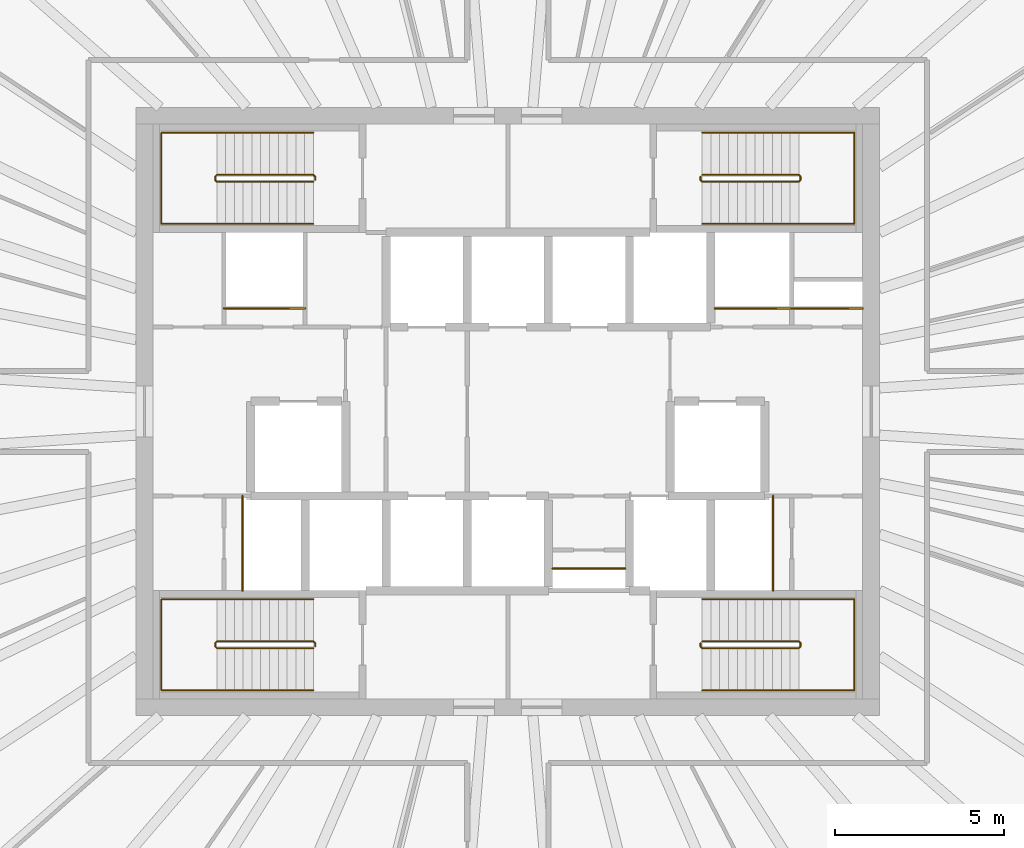
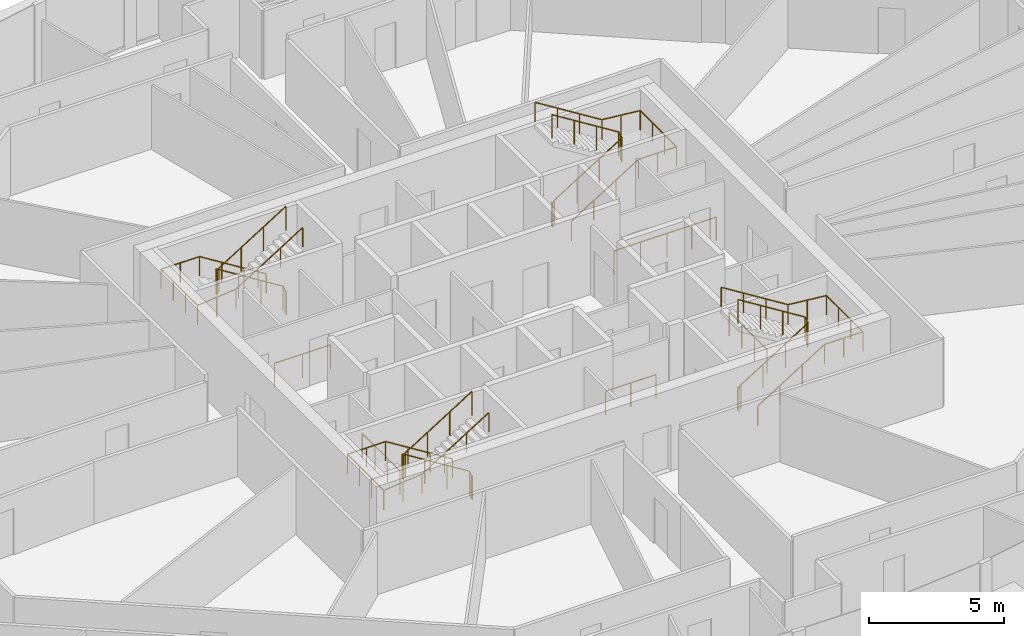
# One storey, part 12 of 12: 14 railings.
"""IFC4 building model written with IfcOpenShell, lengths in metres."""

from ifc_helpers import new_model, si_unit, direction, frame, origin, origin_2d, place, context, subcontext, project, spatial, circle, extrude, source, transform, mapped, material, type_object, element, save


model = new_model("IFC4")

# Units and contexts
model_context = context("Model", 3, precision=1e-05, world=origin(), true_north=direction((0.0, 1.0)))
body_context = subcontext(model_context, "Body", "Model", "MODEL_VIEW")
ifc_project = project(units=[si_unit("LENGTHUNIT", "METRE"), si_unit("AREAUNIT", "SQUARE_METRE"), si_unit("VOLUMEUNIT", "CUBIC_METRE"), si_unit("PLANEANGLEUNIT", "RADIAN"), si_unit("MASSUNIT", "GRAM", prefix="KILO")], contexts=[model_context])

# Site, building, storey
site_placement = place(None, origin())
site = spatial("IfcSite", under=ifc_project, at=site_placement, CompositionType="ELEMENT")
building_placement = place(site_placement, origin())
building = spatial("IfcBuilding", under=site, at=building_placement, Name="Embergate Tower", CompositionType="ELEMENT")
storey_placement = place(building_placement, frame((0.0, 0.0, 250.0)))
storey = spatial("IfcBuildingStorey", under=building, at=storey_placement, Name="L57", CompositionType="ELEMENT", Elevation=250.0)

# Railings
ifc_material_1 = material(Name="Stair guard 1100")
railing_type_1 = type_object("IfcRailingType", Name="Stair guard 1100", PredefinedType="GUARDRAIL", material=ifc_material_1)
shared_shape_1 = source(origin(), body_context, "Body", "SweptSolid", [
    extrude(circle(Radius=0.02392578125, at=origin_2d()), frame((0.0, 0.0, 1.076171875), z_axis=(0.0, 1.0, 0.0), x_axis=(-1.0, 0.0, 0.0)), (0.0, 0.0, 1.0), 0.099853515625),
    extrude(circle(Radius=0.02392578125, at=origin_2d()), frame((0.0, 0.099853515625, 1.076171875), z_axis=(-0.282227285176, 0.282227285176, 0.916894497205), x_axis=(-0.707106781187, -0.707106781187, 0.0)), (0.0, 0.0, 1.0), 0.17724609375),
    extrude(circle(Radius=0.02392578125, at=origin_2d()), frame((-0.050048828125, 0.14990234375, 1.23876953125), z_axis=(-0.848026770018, 0.0, 0.529953391661), x_axis=(0.0, -1.0, 0.0)), (0.0, 0.0, 1.0), 3.37255859375),
    extrude(circle(Radius=0.02392578125, at=origin_2d()), frame((-2.91015625, 0.14990234375, 3.02587890625), z_axis=(-0.705375805398, -0.708833529934, 0.0), x_axis=(0.708833529934, -0.705375805398, 0.0)), (0.0, 0.0, 1.0), 0.070556640625),
    extrude(circle(Radius=0.02392578125, at=origin_2d()), frame((-2.9599609375, 0.099853515625, 3.02587890625), z_axis=(0.0, -1.0, 0.0), x_axis=(1.0, 0.0, 0.0)), (0.0, 0.0, 1.0), 0.099853515625),
    extrude(circle(Radius=0.02392578125, at=origin_2d()), frame((-2.9599609375, 0.0, 3.02587890625), z_axis=(0.280959487676, -0.282336740067, 0.917250092119), x_axis=(0.708833529934, 0.705375805398, 0.0)), (0.0, 0.0, 1.0), 0.17724609375),
    extrude(circle(Radius=0.02392578125, at=origin_2d()), frame((-2.91015625, -0.050048828125, 3.1884765625), z_axis=(0.848026770018, 0.0, 0.529953391661), x_axis=(0.0, 1.0, 0.0)), (0.0, 0.0, 1.0), 3.37255859375),
    extrude(circle(Radius=0.02099609375, at=origin_2d()), origin(), (0.0, 0.0, 1.0), 1.052001953125),
    extrude(circle(Radius=0.02099609375, at=origin_2d()), frame((0.0, 0.099853515625, 0.0)), (0.0, 0.0, 1.0), 1.052001953125),
    extrude(circle(Radius=0.02099609375, at=origin_2d()), frame((-0.050048828125, 0.14990234375, 0.16259765625)), (0.0, 0.0, 1.0), 1.052001953125),
    extrude(circle(Radius=0.02099609375, at=origin_2d()), frame((-1.00341796875, 0.14990234375, 0.75830078125)), (0.0, 0.0, 1.0), 1.052001953125),
    extrude(circle(Radius=0.02099609375, at=origin_2d()), frame((-1.956787109375, 0.14990234375, 1.354248046875)), (0.0, 0.0, 1.0), 1.052001953125),
    extrude(circle(Radius=0.02099609375, at=origin_2d()), frame((-2.91015625, 0.14990234375, 1.949951171875)), (0.0, 0.0, 1.0), 1.052001953125),
    extrude(circle(Radius=0.02099609375, at=origin_2d()), frame((-2.9599609375, 0.099853515625, 1.949951171875)), (0.0, 0.0, 1.0), 1.052001953125),
    extrude(circle(Radius=0.02099609375, at=origin_2d()), frame((-2.9599609375, 0.0, 1.949951171875)), (0.0, 0.0, 1.0), 1.052001953125),
    extrude(circle(Radius=0.02099609375, at=origin_2d()), frame((-2.91015625, -0.050048828125, 2.112548828125)), (0.0, 0.0, 1.0), 1.052001953125),
    extrude(circle(Radius=0.02099609375, at=origin_2d()), frame((-1.956787109375, -0.050048828125, 2.708251953125)), (0.0, 0.0, 1.0), 1.052001953125),
    extrude(circle(Radius=0.02099609375, at=origin_2d()), frame((-1.00341796875, -0.050048828125, 3.30419921875)), (0.0, 0.0, 1.0), 1.052001953125),
    extrude(circle(Radius=0.02099609375, at=origin_2d()), frame((-0.050048828125, -0.050048828125, 3.89990234375)), (0.0, 0.0, 1.0), 1.052001953125),
])
for number, where, name in (
    (1, (-5.699951171875, 6.85009765625, 0.0), "L57 ST1 stair guard 1"),
    (2, (-5.699951171875, -6.949951171875, 0.0), "L57 ST3 stair guard 1"),
):
    element("IfcRailing", number, at=place(storey_placement, frame(where)), inside=storey, type_object=railing_type_1, Name=name, PredefinedType="GUARDRAIL", context=body_context, shape_type="MappedRepresentation", body=[
        mapped(shared_shape_1, transform((0.0, 0.0, 0.0))),
    ])
ifc_material_2 = material(Name="Stair handrail 900")
railing_type_2 = type_object("IfcRailingType", Name="Stair handrail 900", PredefinedType="HANDRAIL", material=ifc_material_2)
shared_shape_2 = source(origin(), body_context, "Body", "SweptSolid", [
    extrude(circle(Radius=0.02392578125, at=origin_2d()), frame((0.0, 0.0, 0.8759765625), z_axis=(-0.848026770018, 0.0, 0.529953391661), x_axis=(0.0, -1.0, 0.0)), (0.0, 0.0, 1.0), 3.37255859375),
    extrude(circle(Radius=0.02392578125, at=origin_2d()), frame((-2.860107421875, 0.0, 2.6630859375), z_axis=(-1.0, 0.0, 0.0), x_axis=(0.0, -1.0, 0.0)), (0.0, 0.0, 1.0), 1.639892578125),
    extrude(circle(Radius=0.02392578125, at=origin_2d()), frame((-4.5, 0.0, 2.6630859375), z_axis=(0.0, -1.0, 0.0), x_axis=(1.0, 0.0, 0.0)), (0.0, 0.0, 1.0), 2.699951171875),
    extrude(circle(Radius=0.02392578125, at=origin_2d()), frame((-4.5, -2.699951171875, 2.6630859375), z_axis=(0.995120448088, 0.0, 0.098667592441), x_axis=(0.0, 1.0, 0.0)), (0.0, 0.0, 1.0), 1.64794921875),
    extrude(circle(Radius=0.02392578125, at=origin_2d()), frame((-2.860107421875, -2.699951171875, 2.82568359375), z_axis=(0.848026770018, 0.0, 0.529953391661), x_axis=(0.0, 1.0, 0.0)), (0.0, 0.0, 1.0), 3.37255859375),
    extrude(circle(Radius=0.02099609375, at=origin_2d()), origin(), (0.0, 0.0, 1.0), 0.851806640625),
    extrude(circle(Radius=0.02099609375, at=origin_2d()), frame((-0.953369140625, 0.0, 0.595703125)), (0.0, 0.0, 1.0), 0.851806640625),
    extrude(circle(Radius=0.02099609375, at=origin_2d()), frame((-1.90673828125, 0.0, 1.191650390625)), (0.0, 0.0, 1.0), 0.851806640625),
    extrude(circle(Radius=0.02099609375, at=origin_2d()), frame((-2.860107421875, 0.0, 1.787353515625)), (0.0, 0.0, 1.0), 0.851806640625),
    extrude(circle(Radius=0.02099609375, at=origin_2d()), frame((-3.68017578125, 0.0, 1.787353515625)), (0.0, 0.0, 1.0), 0.851806640625),
    extrude(circle(Radius=0.02099609375, at=origin_2d()), frame((-4.5, 0.0, 1.787353515625)), (0.0, 0.0, 1.0), 0.851806640625),
    extrude(circle(Radius=0.02099609375, at=origin_2d()), frame((-4.5, -0.89990234375, 1.787353515625)), (0.0, 0.0, 1.0), 0.851806640625),
    extrude(circle(Radius=0.02099609375, at=origin_2d()), frame((-4.5, -1.800048828125, 1.787353515625)), (0.0, 0.0, 1.0), 0.851806640625),
    extrude(circle(Radius=0.02099609375, at=origin_2d()), frame((-4.5, -2.699951171875, 1.787353515625)), (0.0, 0.0, 1.0), 0.851806640625),
    extrude(circle(Radius=0.02099609375, at=origin_2d()), frame((-3.68017578125, -2.699951171875, 1.86865234375)), (0.0, 0.0, 1.0), 0.851806640625),
    extrude(circle(Radius=0.02099609375, at=origin_2d()), frame((-2.860107421875, -2.699951171875, 1.949951171875)), (0.0, 0.0, 1.0), 0.851806640625),
    extrude(circle(Radius=0.02099609375, at=origin_2d()), frame((-1.90673828125, -2.699951171875, 2.545654296875)), (0.0, 0.0, 1.0), 0.851806640625),
    extrude(circle(Radius=0.02099609375, at=origin_2d()), frame((-0.953369140625, -2.699951171875, 3.1416015625)), (0.0, 0.0, 1.0), 0.851806640625),
    extrude(circle(Radius=0.02099609375, at=origin_2d()), frame((0.0, -2.699951171875, 3.7373046875)), (0.0, 0.0, 1.0), 0.851806640625),
])
for number, where, name in (
    (3, (-5.75, 8.25, 0.16259765625), "L57 ST1 stair handrail 1"),
    (4, (-5.75, -5.550048828125, 0.16259765625), "L57 ST3 stair handrail 1"),
):
    element("IfcRailing", number, at=place(storey_placement, frame(where)), inside=storey, type_object=railing_type_2, Name=name, PredefinedType="HANDRAIL", context=body_context, shape_type="MappedRepresentation", body=[
        mapped(shared_shape_2, transform((0.0, 0.0, 0.0))),
    ])
shared_shape_3 = source(origin(), body_context, "Body", "SweptSolid", [
    extrude(circle(Radius=0.02392578125, at=origin_2d()), frame((0.0, 0.0, 1.076171875), z_axis=(0.0, -1.0, 0.0), x_axis=(1.0, 0.0, 0.0)), (0.0, 0.0, 1.0), 0.099853515625),
    extrude(circle(Radius=0.02392578125, at=origin_2d()), frame((0.0, -0.099853515625, 1.076171875), z_axis=(0.282227285176, -0.282227285176, 0.916894497205), x_axis=(0.707106781187, 0.707106781187, 0.0)), (0.0, 0.0, 1.0), 0.17724609375),
    extrude(circle(Radius=0.02392578125, at=origin_2d()), frame((0.050048828125, -0.14990234375, 1.23876953125), z_axis=(0.848026770018, 0.0, 0.529953391661), x_axis=(0.0, 1.0, 0.0)), (0.0, 0.0, 1.0), 3.37255859375),
    extrude(circle(Radius=0.02392578125, at=origin_2d()), frame((2.91015625, -0.14990234375, 3.02587890625), z_axis=(0.705375805398, 0.708833529934, 0.0), x_axis=(-0.708833529934, 0.705375805398, 0.0)), (0.0, 0.0, 1.0), 0.070556640625),
    extrude(circle(Radius=0.02392578125, at=origin_2d()), frame((2.9599609375, -0.099853515625, 3.02587890625), z_axis=(0.0, 1.0, 0.0), x_axis=(-1.0, 0.0, 0.0)), (0.0, 0.0, 1.0), 0.099853515625),
    extrude(circle(Radius=0.02392578125, at=origin_2d()), frame((2.9599609375, 0.0, 3.02587890625), z_axis=(-0.280959487676, 0.282336740067, 0.917250092119), x_axis=(-0.708833529934, -0.705375805398, 0.0)), (0.0, 0.0, 1.0), 0.17724609375),
    extrude(circle(Radius=0.02392578125, at=origin_2d()), frame((2.91015625, 0.050048828125, 3.1884765625), z_axis=(-0.848026770018, 0.0, 0.529953391661), x_axis=(0.0, -1.0, 0.0)), (0.0, 0.0, 1.0), 3.37255859375),
    extrude(circle(Radius=0.02099609375, at=origin_2d()), origin(), (0.0, 0.0, 1.0), 1.052001953125),
    extrude(circle(Radius=0.02099609375, at=origin_2d()), frame((0.0, -0.099853515625, 0.0)), (0.0, 0.0, 1.0), 1.052001953125),
    extrude(circle(Radius=0.02099609375, at=origin_2d()), frame((0.050048828125, -0.14990234375, 0.16259765625)), (0.0, 0.0, 1.0), 1.052001953125),
    extrude(circle(Radius=0.02099609375, at=origin_2d()), frame((1.00341796875, -0.14990234375, 0.75830078125)), (0.0, 0.0, 1.0), 1.052001953125),
    extrude(circle(Radius=0.02099609375, at=origin_2d()), frame((1.956787109375, -0.14990234375, 1.354248046875)), (0.0, 0.0, 1.0), 1.052001953125),
    extrude(circle(Radius=0.02099609375, at=origin_2d()), frame((2.91015625, -0.14990234375, 1.949951171875)), (0.0, 0.0, 1.0), 1.052001953125),
    extrude(circle(Radius=0.02099609375, at=origin_2d()), frame((2.9599609375, -0.099853515625, 1.949951171875)), (0.0, 0.0, 1.0), 1.052001953125),
    extrude(circle(Radius=0.02099609375, at=origin_2d()), frame((2.9599609375, 0.0, 1.949951171875)), (0.0, 0.0, 1.0), 1.052001953125),
    extrude(circle(Radius=0.02099609375, at=origin_2d()), frame((2.91015625, 0.050048828125, 2.112548828125)), (0.0, 0.0, 1.0), 1.052001953125),
    extrude(circle(Radius=0.02099609375, at=origin_2d()), frame((1.956787109375, 0.050048828125, 2.708251953125)), (0.0, 0.0, 1.0), 1.052001953125),
    extrude(circle(Radius=0.02099609375, at=origin_2d()), frame((1.00341796875, 0.050048828125, 3.30419921875)), (0.0, 0.0, 1.0), 1.052001953125),
    extrude(circle(Radius=0.02099609375, at=origin_2d()), frame((0.050048828125, 0.050048828125, 3.89990234375)), (0.0, 0.0, 1.0), 1.052001953125),
])
for number, where, name in (
    (5, (5.699951171875, 6.949951171875, 0.0), "L57 ST2 stair guard 1"),
    (6, (5.699951171875, -6.85009765625, 0.0), "L57 ST4 stair guard 1"),
):
    element("IfcRailing", number, at=place(storey_placement, frame(where)), inside=storey, type_object=railing_type_1, Name=name, PredefinedType="GUARDRAIL", context=body_context, shape_type="MappedRepresentation", body=[
        mapped(shared_shape_3, transform((0.0, 0.0, 0.0))),
    ])
shared_shape_4 = source(origin(), body_context, "Body", "SweptSolid", [
    extrude(circle(Radius=0.02392578125, at=origin_2d()), frame((0.0, 0.0, 0.8759765625), z_axis=(0.848026770018, 0.0, 0.529953391661), x_axis=(0.0, 1.0, 0.0)), (0.0, 0.0, 1.0), 3.37255859375),
    extrude(circle(Radius=0.02392578125, at=origin_2d()), frame((2.860107421875, 0.0, 2.6630859375), z_axis=(1.0, 0.0, 0.0), x_axis=(0.0, 1.0, 0.0)), (0.0, 0.0, 1.0), 1.639892578125),
    extrude(circle(Radius=0.02392578125, at=origin_2d()), frame((4.5, 0.0, 2.6630859375), z_axis=(0.0, 1.0, 0.0), x_axis=(-1.0, 0.0, 0.0)), (0.0, 0.0, 1.0), 2.699951171875),
    extrude(circle(Radius=0.02392578125, at=origin_2d()), frame((4.5, 2.699951171875, 2.6630859375), z_axis=(-0.995120448088, 0.0, 0.098667592441), x_axis=(0.0, -1.0, 0.0)), (0.0, 0.0, 1.0), 1.64794921875),
    extrude(circle(Radius=0.02392578125, at=origin_2d()), frame((2.860107421875, 2.699951171875, 2.82568359375), z_axis=(-0.848026770018, 0.0, 0.529953391661), x_axis=(0.0, -1.0, 0.0)), (0.0, 0.0, 1.0), 3.37255859375),
    extrude(circle(Radius=0.02099609375, at=origin_2d()), origin(), (0.0, 0.0, 1.0), 0.851806640625),
    extrude(circle(Radius=0.02099609375, at=origin_2d()), frame((0.953369140625, 0.0, 0.595703125)), (0.0, 0.0, 1.0), 0.851806640625),
    extrude(circle(Radius=0.02099609375, at=origin_2d()), frame((1.90673828125, 0.0, 1.191650390625)), (0.0, 0.0, 1.0), 0.851806640625),
    extrude(circle(Radius=0.02099609375, at=origin_2d()), frame((2.860107421875, 0.0, 1.787353515625)), (0.0, 0.0, 1.0), 0.851806640625),
    extrude(circle(Radius=0.02099609375, at=origin_2d()), frame((3.68017578125, 0.0, 1.787353515625)), (0.0, 0.0, 1.0), 0.851806640625),
    extrude(circle(Radius=0.02099609375, at=origin_2d()), frame((4.5, 0.0, 1.787353515625)), (0.0, 0.0, 1.0), 0.851806640625),
    extrude(circle(Radius=0.02099609375, at=origin_2d()), frame((4.5, 0.89990234375, 1.787353515625)), (0.0, 0.0, 1.0), 0.851806640625),
    extrude(circle(Radius=0.02099609375, at=origin_2d()), frame((4.5, 1.800048828125, 1.787353515625)), (0.0, 0.0, 1.0), 0.851806640625),
    extrude(circle(Radius=0.02099609375, at=origin_2d()), frame((4.5, 2.699951171875, 1.787353515625)), (0.0, 0.0, 1.0), 0.851806640625),
    extrude(circle(Radius=0.02099609375, at=origin_2d()), frame((3.68017578125, 2.699951171875, 1.86865234375)), (0.0, 0.0, 1.0), 0.851806640625),
    extrude(circle(Radius=0.02099609375, at=origin_2d()), frame((2.860107421875, 2.699951171875, 1.949951171875)), (0.0, 0.0, 1.0), 0.851806640625),
    extrude(circle(Radius=0.02099609375, at=origin_2d()), frame((1.90673828125, 2.699951171875, 2.545654296875)), (0.0, 0.0, 1.0), 0.851806640625),
    extrude(circle(Radius=0.02099609375, at=origin_2d()), frame((0.953369140625, 2.699951171875, 3.1416015625)), (0.0, 0.0, 1.0), 0.851806640625),
    extrude(circle(Radius=0.02099609375, at=origin_2d()), frame((0.0, 2.699951171875, 3.7373046875)), (0.0, 0.0, 1.0), 0.851806640625),
])
for number, where, name in (
    (7, (5.75, 5.550048828125, 0.16259765625), "L57 ST2 stair handrail 1"),
    (8, (5.75, -8.25, 0.16259765625), "L57 ST4 stair handrail 1"),
):
    element("IfcRailing", number, at=place(storey_placement, frame(where)), inside=storey, type_object=railing_type_2, Name=name, PredefinedType="HANDRAIL", context=body_context, shape_type="MappedRepresentation", body=[
        mapped(shared_shape_4, transform((0.0, 0.0, 0.0))),
    ])
ifc_material_3 = material(Name="Opening guard 1100")
railing_type_3 = type_object("IfcRailingType", Name="Opening guard 1100", PredefinedType="GUARDRAIL", material=ifc_material_3)
shared_shape_5 = source(origin(), body_context, "Body", "SweptSolid", [
    extrude(circle(Radius=0.02392578125, at=origin_2d()), frame((0.0, 0.0, 1.076171875), z_axis=(1.0, 0.0, 0.0), x_axis=(0.0, 1.0, 0.0)), (0.0, 0.0, 1.0), 2.27490234375),
    extrude(circle(Radius=0.02099609375, at=origin_2d()), origin(), (0.0, 0.0, 1.0), 1.052001953125),
    extrude(circle(Radius=0.02099609375, at=origin_2d()), frame((1.137451171875, 0.0, 0.0)), (0.0, 0.0, 1.0), 1.052001953125),
    extrude(circle(Radius=0.02099609375, at=origin_2d()), frame((2.27490234375, 0.0, 0.0)), (0.0, 0.0, 1.0), 1.052001953125),
])
railing_1_placement = place(storey_placement, frame((6.125, 3.050048828125, 0.0)))
element("IfcRailing", 9, at=railing_1_placement, inside=storey, type_object=railing_type_3, Name="Riser opening guard", PredefinedType="GUARDRAIL", context=body_context, shape_type="MappedRepresentation", body=[
    mapped(shared_shape_5, transform((0.0, 0.0, 0.0))),
])
shared_shape_6 = source(origin(), body_context, "Body", "SweptSolid", [
    extrude(circle(Radius=0.02392578125, at=origin_2d()), frame((0.0, 0.0, 1.076171875), z_axis=(0.0, 1.0, 0.0), x_axis=(-1.0, 0.0, 0.0)), (0.0, 0.0, 1.0), 2.800048828125),
    extrude(circle(Radius=0.02099609375, at=origin_2d()), origin(), (0.0, 0.0, 1.0), 1.052001953125),
    extrude(circle(Radius=0.02099609375, at=origin_2d()), frame((0.0, 0.933349609375, 0.0)), (0.0, 0.0, 1.0), 1.052001953125),
    extrude(circle(Radius=0.02099609375, at=origin_2d()), frame((0.0, 1.86669921875, 0.0)), (0.0, 0.0, 1.0), 1.052001953125),
    extrude(circle(Radius=0.02099609375, at=origin_2d()), frame((0.0, 2.800048828125, 0.0)), (0.0, 0.0, 1.0), 1.052001953125),
])
for number, where, name in (
    (10, (-7.85009765625, -5.300048828125, 0.0), "Riser opening guard"),
    (11, (7.85009765625, -5.300048828125, 0.0), "Riser opening guard"),
):
    element("IfcRailing", number, at=place(storey_placement, frame(where)), inside=storey, type_object=railing_type_3, Name=name, PredefinedType="GUARDRAIL", context=body_context, shape_type="MappedRepresentation", body=[
        mapped(shared_shape_6, transform((0.0, 0.0, 0.0))),
    ])
shared_shape_7 = source(origin(), body_context, "Body", "SweptSolid", [
    extrude(circle(Radius=0.02392578125, at=origin_2d()), frame((0.0, 0.0, 1.076171875), z_axis=(1.0, 0.0, 0.0), x_axis=(0.0, 1.0, 0.0)), (0.0, 0.0, 1.0), 2.39990234375),
    extrude(circle(Radius=0.02099609375, at=origin_2d()), origin(), (0.0, 0.0, 1.0), 1.052001953125),
    extrude(circle(Radius=0.02099609375, at=origin_2d()), frame((1.199951171875, 0.0, 0.0)), (0.0, 0.0, 1.0), 1.052001953125),
    extrude(circle(Radius=0.02099609375, at=origin_2d()), frame((2.39990234375, 0.0, 0.0)), (0.0, 0.0, 1.0), 1.052001953125),
])
railing_2_placement = place(storey_placement, frame((-8.39990234375, 3.050048828125, 0.0)))
element("IfcRailing", 12, at=railing_2_placement, inside=storey, type_object=railing_type_3, Name="Riser opening guard", PredefinedType="GUARDRAIL", context=body_context, shape_type="MappedRepresentation", body=[
    mapped(shared_shape_7, transform((0.0, 0.0, 0.0))),
])
shared_shape_8 = source(origin(), body_context, "Body", "SweptSolid", [
    extrude(circle(Radius=0.02392578125, at=origin_2d()), frame((0.0, 0.0, 1.076171875), z_axis=(1.0, 0.0, 0.0), x_axis=(0.0, 1.0, 0.0)), (0.0, 0.0, 1.0), 2.10009765625),
    extrude(circle(Radius=0.02099609375, at=origin_2d()), origin(), (0.0, 0.0, 1.0), 1.052001953125),
    extrude(circle(Radius=0.02099609375, at=origin_2d()), frame((1.050048828125, 0.0, 0.0)), (0.0, 0.0, 1.0), 1.052001953125),
    extrude(circle(Radius=0.02099609375, at=origin_2d()), frame((2.10009765625, 0.0, 0.0)), (0.0, 0.0, 1.0), 1.052001953125),
])
railing_3_placement = place(storey_placement, frame((8.39990234375, 3.050048828125, 0.0)))
element("IfcRailing", 13, at=railing_3_placement, inside=storey, type_object=railing_type_3, Name="Riser opening guard", PredefinedType="GUARDRAIL", context=body_context, shape_type="MappedRepresentation", body=[
    mapped(shared_shape_8, transform((0.0, 0.0, 0.0))),
])
shared_shape_9 = source(origin(), body_context, "Body", "SweptSolid", [
    extrude(circle(Radius=0.02392578125, at=origin_2d()), frame((0.0, 0.0, 1.076171875), z_axis=(1.0, 0.0, 0.0), x_axis=(0.0, 1.0, 0.0)), (0.0, 0.0, 1.0), 2.150146484375),
    extrude(circle(Radius=0.02099609375, at=origin_2d()), origin(), (0.0, 0.0, 1.0), 1.052001953125),
    extrude(circle(Radius=0.02099609375, at=origin_2d()), frame((1.0751953125, 0.0, 0.0)), (0.0, 0.0, 1.0), 1.052001953125),
    extrude(circle(Radius=0.02099609375, at=origin_2d()), frame((2.150146484375, 0.0, 0.0)), (0.0, 0.0, 1.0), 1.052001953125),
])
railing_4_placement = place(storey_placement, frame((1.324951171875, -4.64599609375, 0.0)))
element("IfcRailing", 14, at=railing_4_placement, inside=storey, type_object=railing_type_3, Name="Riser opening guard", PredefinedType="GUARDRAIL", context=body_context, shape_type="MappedRepresentation", body=[
    mapped(shared_shape_9, transform((0.0, 0.0, 0.0))),
])

save(model, "model.ifc")
